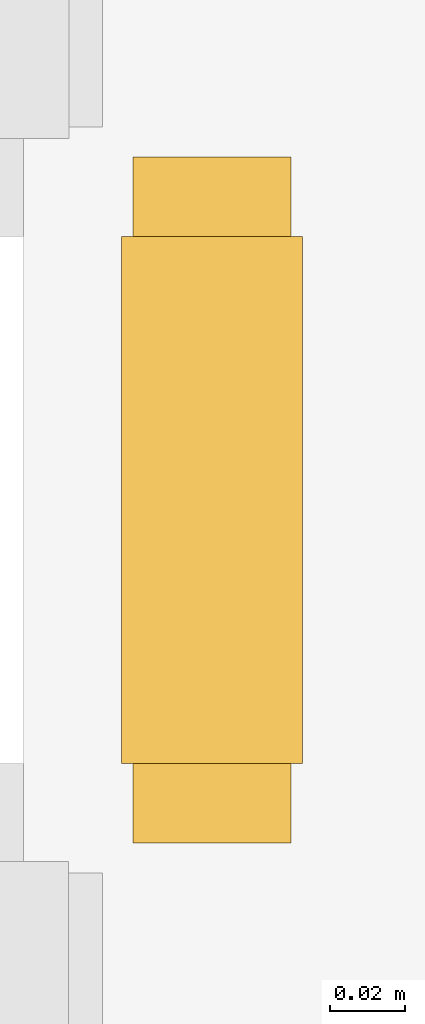
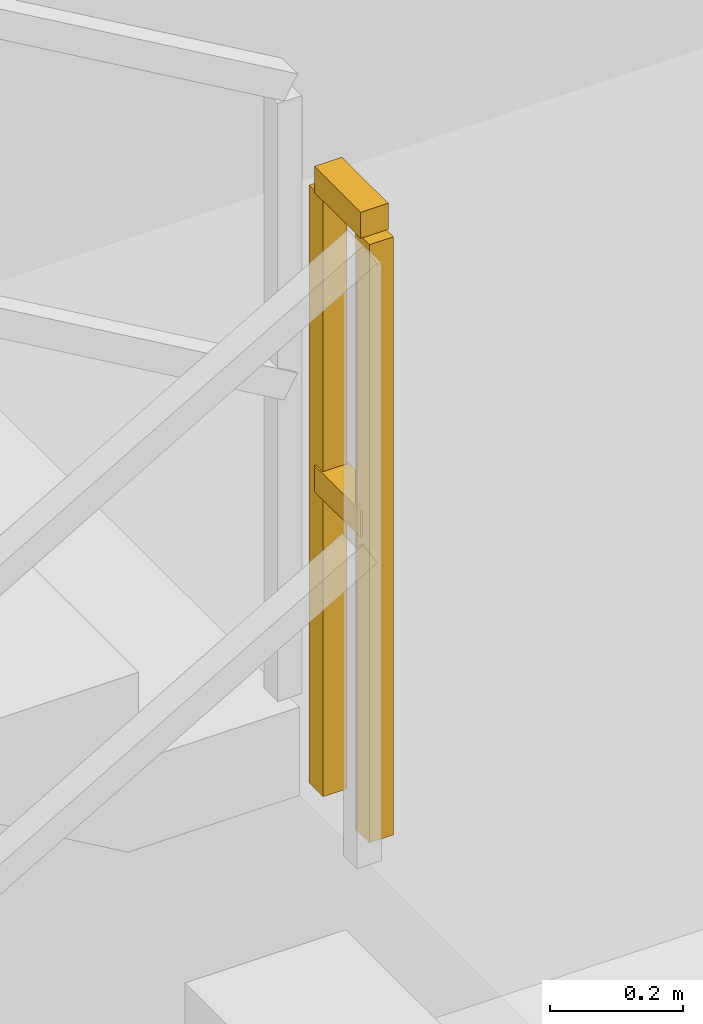
# One storey, part 22 of 24: 1 railing.
"""IFC4 building model written with IfcOpenShell, lengths in metres."""

from ifc_helpers import new_model, si_unit, direction, frame, origin, origin_2d, place, context, subcontext, project, spatial, rectangle, extrude, material, type_object, element, save


model = new_model("IFC4")

# Units and contexts
model_context = context("Model", 3, precision=1e-05, world=origin(), true_north=direction((0.0, 1.0)))
body_context = subcontext(model_context, "Body", "Model", "MODEL_VIEW")
ifc_project = project(units=[si_unit("LENGTHUNIT", "METRE"), si_unit("AREAUNIT", "SQUARE_METRE"), si_unit("VOLUMEUNIT", "CUBIC_METRE"), si_unit("PLANEANGLEUNIT", "RADIAN"), si_unit("MASSUNIT", "GRAM", prefix="KILO"), si_unit("THERMODYNAMICTEMPERATUREUNIT", "KELVIN"), si_unit("POWERUNIT", "WATT")], contexts=[model_context])

# Site, building, storey
site_placement = place(None, origin())
site = spatial("IfcSite", under=ifc_project, at=site_placement, CompositionType="ELEMENT")
building_placement = place(site_placement, origin())
building = spatial("IfcBuilding", under=site, at=building_placement, Name="Qiaomeng Ring Towers", CompositionType="ELEMENT")
storey_placement = place(building_placement, frame((0.0, 0.0, 69.75)))
storey = spatial("IfcBuildingStorey", under=building, at=storey_placement, Name="L19", CompositionType="ELEMENT", Elevation=69.75)

# Railing
ifc_material = material(Name="Galvanised steel", Category="steel")
railing_type = type_object("IfcRailingType", Name="ARC-RL-GUARD", PredefinedType="GUARDRAIL", material=ifc_material)
railing_placement = place(storey_placement, frame((58.989990234375, 31.300048828125, 1.625)))
element("IfcRailing", 1, at=railing_placement, inside=storey, type_object=railing_type, Name="L19 ST5 stair guard 2", PredefinedType="GUARDRAIL", context=body_context, shape_type="SweptSolid", body=[
    extrude(rectangle(XDim=0.048095703125, YDim=0.048095703125, at=origin_2d()), frame((0.0, 0.0, 1.1259765625), z_axis=(0.0, 1.0, 0.0), x_axis=(-1.0, 0.0, 0.0)), (0.0, 0.0, 1.0), 0.139892578125),
    extrude(rectangle(XDim=0.048095703125, YDim=0.048095703125, at=origin_2d()), frame((0.0, 0.0, 0.574951171875), z_axis=(0.0, 1.0, 0.0), x_axis=(-1.0, 0.0, 0.0)), (0.0, 0.0, 1.0), 0.139892578125),
    extrude(rectangle(XDim=0.0419921875, YDim=0.0419921875, at=origin_2d()), origin(), (0.0, 0.0, 1.0), 1.101806640625),
    extrude(rectangle(XDim=0.0419921875, YDim=0.0419921875, at=origin_2d()), frame((0.0, 0.139892578125, 0.0)), (0.0, 0.0, 1.0), 1.101806640625),
])

save(model, "model.ifc")
